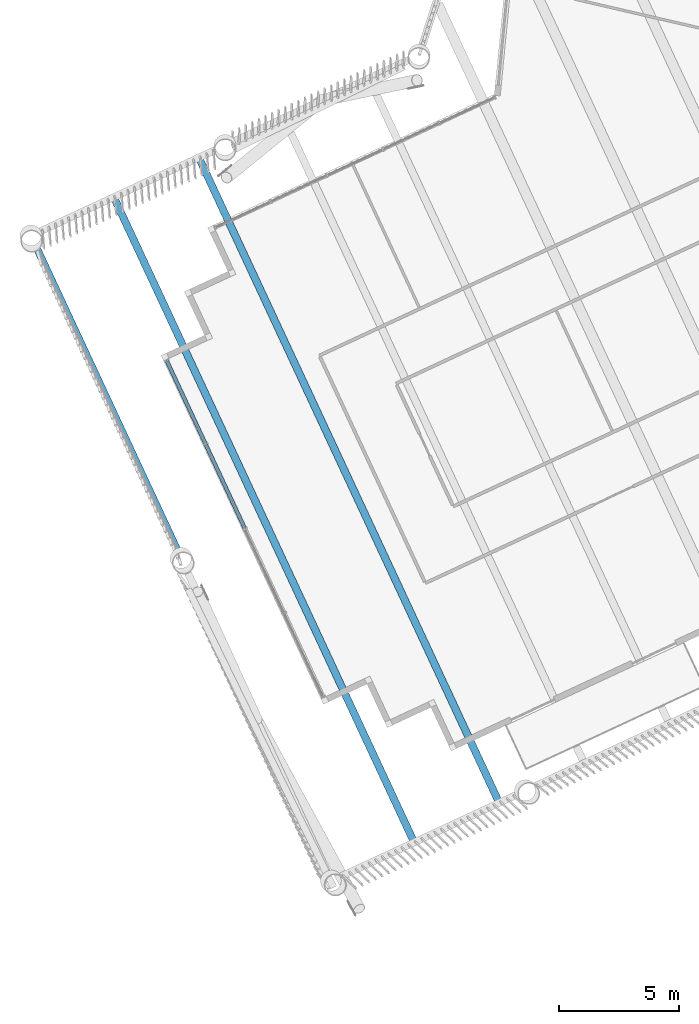
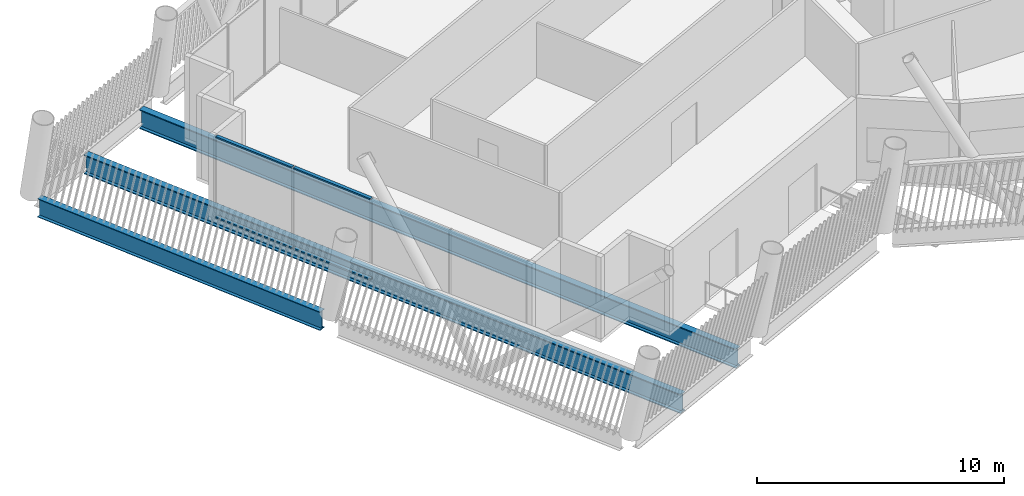
# One storey, part 5 of 36: 4 members, 3 beams, 1 element without a shape of its own.
"""IFC4 building model written with IfcOpenShell, lengths in metres."""

from ifc_helpers import new_model, si_unit, direction, frame, origin, origin_2d, place, context, subcontext, project, spatial, hollow_rectangle, i_section, extrude, material, layer, layer_set, material_profile, profile_set, type_object, element, aggregate, save


model = new_model("IFC4")

# Units and contexts
model_context = context("Model", 3, precision=1e-05, world=origin(), true_north=direction((0.0, 1.0)))
body_context = subcontext(model_context, "Body", "Model", "MODEL_VIEW")
ifc_project = project(units=[si_unit("LENGTHUNIT", "METRE"), si_unit("AREAUNIT", "SQUARE_METRE"), si_unit("VOLUMEUNIT", "CUBIC_METRE"), si_unit("PLANEANGLEUNIT", "RADIAN"), si_unit("MASSUNIT", "GRAM", prefix="KILO")], contexts=[model_context])

# Site, building, storey
site_placement = place(None, origin())
site = spatial("IfcSite", under=ifc_project, at=site_placement, CompositionType="ELEMENT")
building_placement = place(site_placement, origin())
building = spatial("IfcBuilding", under=site, at=building_placement, Name="Tarsis Ring Headquarters", CompositionType="ELEMENT")
storey_placement = place(building_placement, frame((0.0, 0.0, 386.0)))
storey = spatial("IfcBuildingStorey", under=building, at=storey_placement, Name="L91", CompositionType="ELEMENT", Elevation=386.0)

# Curtain wall, members
ifc_material_1 = material(Name="Aluminium curtain wall", Category="aluminium")
ifc_layer = layer(ifc_material_1, 0.199951171875)
ifc_layer_set = layer_set([ifc_layer], Name="Curtain wall executive tip")
curtain_wall_type = type_object("IfcCurtainWallType", Name="Curtain wall executive tip", PredefinedType="NOTDEFINED", material=ifc_layer_set)
curtain_wall_placement = place(storey_placement, origin())
curtain_wall = element("IfcCurtainWall", 1, at=curtain_wall_placement, inside=storey, type_object=curtain_wall_type, Name="Curtain wall L91-36", PredefinedType="NOTDEFINED")
ifc_material_2 = material(Name="Aluminium transom", Category="aluminium")
ifc_material_profile_1 = material_profile(ifc_material_2, hollow_rectangle(XDim=0.159912109375, YDim=0.070068359375, WallThickness=0.0048828125, at=origin_2d()), Name="RHS 160x70x5")
ifc_profile_set_1 = profile_set([ifc_material_profile_1], Name="Aluminium transom")
member_type = type_object("IfcMemberType", Name="Curtain wall transom executive tip RHS 160x70x5", PredefinedType="USERDEFINED", material=ifc_profile_set_1)
member_1_placement = place(storey_placement, frame((-39.3916015625, -9.864013671875, 0.034912109375), z_axis=(0.42198828276, -0.906601284586, 0.0), x_axis=(0.906601284586, 0.42198828276, 0.0)))
member_1 = element("IfcMember", 2, at=member_1_placement, type_object=member_type, Name="CW-E transom 1.1", ObjectType="TRANSOM", PredefinedType="USERDEFINED", context=body_context, shape_type="SweptSolid", body=[
    extrude(hollow_rectangle(XDim=0.159912109375, YDim=0.070068359375, WallThickness=0.0048828125, at=origin_2d()), origin(), (0.0, 0.0, 1.0), 3.769775390625),
])
member_2_placement = place(storey_placement, frame((-39.3916015625, -9.864013671875, 4.0048828125), z_axis=(0.42198828276, -0.906601284586, 0.0), x_axis=(0.906601284586, 0.42198828276, 0.0)))
member_2 = element("IfcMember", 3, at=member_2_placement, type_object=member_type, Name="CW-E transom 1.2", ObjectType="TRANSOM", PredefinedType="USERDEFINED", context=body_context, shape_type="SweptSolid", body=[
    extrude(hollow_rectangle(XDim=0.159912109375, YDim=0.070068359375, WallThickness=0.0048828125, at=origin_2d()), origin(), (0.0, 0.0, 1.0), 3.769775390625),
])
member_3_placement = place(storey_placement, frame((-37.771240234375, -13.34521484375, 0.034912109375), z_axis=(0.421989574882, -0.906600683151, 0.0), x_axis=(0.906600683151, 0.421989574882, 0.0)))
member_3 = element("IfcMember", 4, at=member_3_placement, type_object=member_type, Name="CW-E transom 2.1", ObjectType="TRANSOM", PredefinedType="USERDEFINED", context=body_context, shape_type="SweptSolid", body=[
    extrude(hollow_rectangle(XDim=0.159912109375, YDim=0.070068359375, WallThickness=0.0048828125, at=origin_2d()), origin(), (0.0, 0.0, 1.0), 3.80517578125),
])
member_4_placement = place(storey_placement, frame((-37.771240234375, -13.34521484375, 4.0048828125), z_axis=(0.421989574882, -0.906600683151, 0.0), x_axis=(0.906600683151, 0.421989574882, 0.0)))
member_4 = element("IfcMember", 5, at=member_4_placement, type_object=member_type, Name="CW-E transom 2.2", ObjectType="TRANSOM", PredefinedType="USERDEFINED", context=body_context, shape_type="SweptSolid", body=[
    extrude(hollow_rectangle(XDim=0.159912109375, YDim=0.070068359375, WallThickness=0.0048828125, at=origin_2d()), origin(), (0.0, 0.0, 1.0), 3.80517578125),
])
aggregate(curtain_wall, [member_1, member_2, member_3, member_4])

# Beams
ifc_material_3 = material(Name="Structural steel S355", Category="steel")
ifc_material_profile_2 = material_profile(ifc_material_3, i_section(OverallWidth=0.309814453125, OverallDepth=0.949951171875, WebThickness=0.0244140625, FlangeThickness=0.0439453125, at=origin_2d()), Name="W36x256")
ifc_profile_set_2 = profile_set([ifc_material_profile_2], Name="Structural steel S355")
beam_type_1 = type_object("IfcBeamType", Name="FB Floor beam W36x256", PredefinedType="JOIST", material=ifc_profile_set_2)
for number, where, z_axis, x_axis, name in (
    (6, (-38.044921875, -1.44140625, -0.635009765625), (0.421984421598, -0.9066030818, 0.0), (0.9066030818, 0.421984421598, 0.0), "Floor beam FB11"),
    (7, (-41.580810546875, -3.087158203125, -0.635009765625), (0.421984421598, -0.9066030818, 0.0), (0.9066030818, 0.421984421598, 0.0), "Floor beam FB11"),
):
    element("IfcBeam", number, at=place(storey_placement, frame(where, z_axis=z_axis, x_axis=x_axis)), inside=storey, type_object=beam_type_1, Name=name, PredefinedType="JOIST", context=body_context, shape_type="SweptSolid", body=[
        extrude(i_section(OverallWidth=0.309814453125, OverallDepth=0.949951171875, WebThickness=0.0244140625, FlangeThickness=0.0439453125, at=origin_2d()), origin(), (0.0, 0.0, 1.0), 29.495361328125),
    ])
ifc_material_profile_3 = material_profile(ifc_material_3, i_section(OverallWidth=0.3046875, OverallDepth=0.91943359375, WebThickness=0.017333984375, FlangeThickness=0.02783203125, at=origin_2d()), Name="W36x170")
ifc_profile_set_3 = profile_set([ifc_material_profile_3], Name="Structural steel S355")
beam_type_2 = type_object("IfcBeamType", Name="XG Ring girder W36x170", PredefinedType="BEAM", material=ifc_profile_set_3)
beam_placement = place(storey_placement, frame((-44.874267578125, -5.016357421875, -0.459716796875), z_axis=(0.421975867257, -0.906607063425, 0.0), x_axis=(0.906607063425, 0.421975867257, 0.0)))
element("IfcBeam", 8, at=beam_placement, inside=storey, type_object=beam_type_2, Name="Ring girder XG4", PredefinedType="BEAM", context=body_context, shape_type="SweptSolid", body=[
    extrude(i_section(OverallWidth=0.3046875, OverallDepth=0.91943359375, WebThickness=0.017333984375, FlangeThickness=0.02783203125, at=origin_2d()), origin(), (0.0, 0.0, 1.0), 13.97705078125),
])

save(model, "model.ifc")
